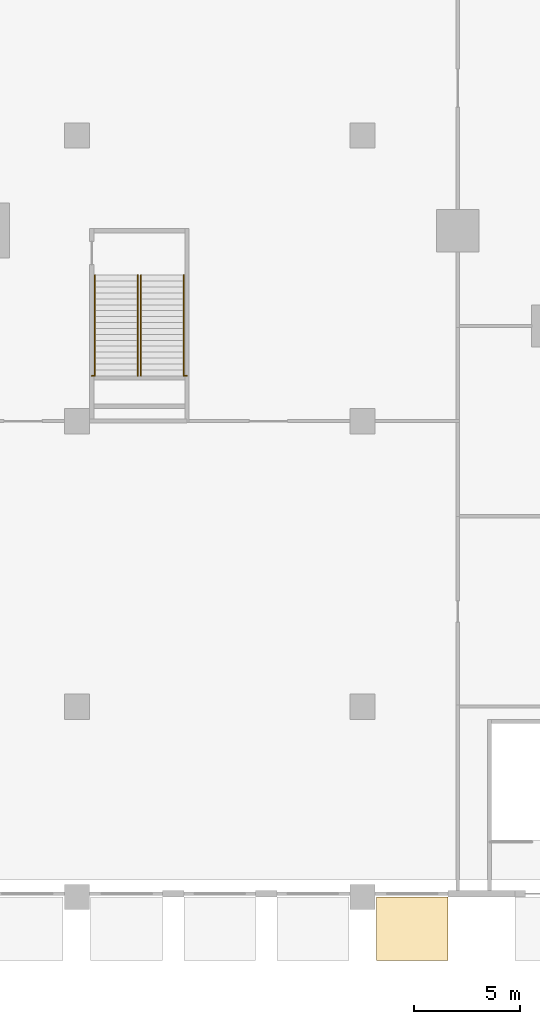
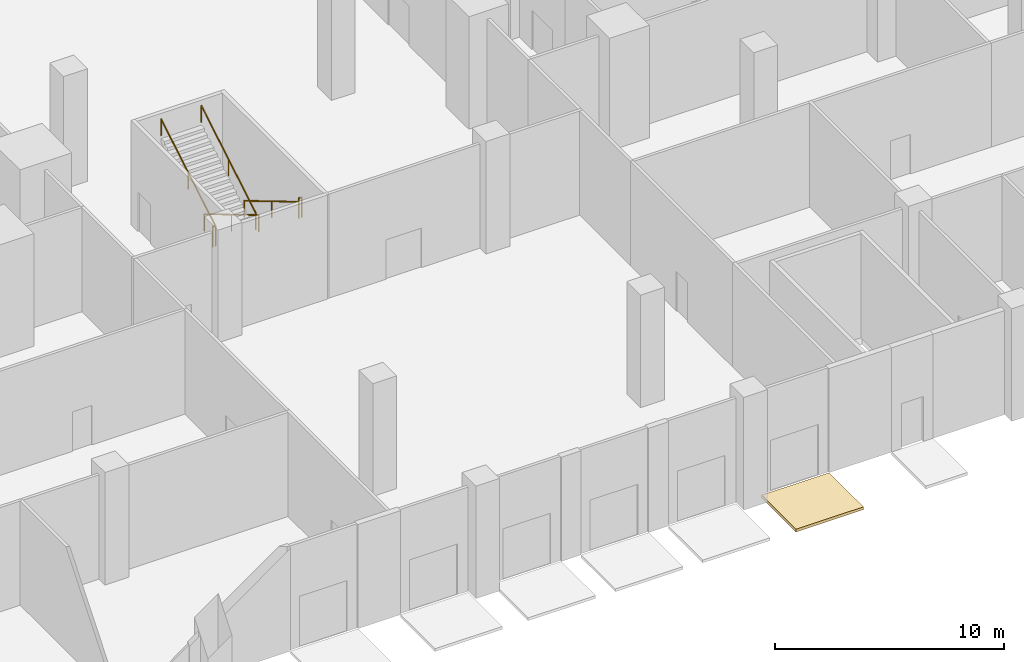
# One storey, part 61 of 68: 6 railings, 1 covering.
"""IFC4 building model written with IfcOpenShell, lengths in metres."""

from ifc_helpers import new_model, si_unit, direction, frame, origin, origin_2d, place, context, subcontext, project, spatial, polyline, circle, outline, extrude, source, transform, mapped, material, layer, layer_set, type_object, element, save


model = new_model("IFC4")

# Units and contexts
model_context = context("Model", 3, precision=1e-05, world=origin(), true_north=direction((0.0, 1.0)))
body_context = subcontext(model_context, "Body", "Model", "MODEL_VIEW")
ifc_project = project(units=[si_unit("LENGTHUNIT", "METRE"), si_unit("AREAUNIT", "SQUARE_METRE"), si_unit("VOLUMEUNIT", "CUBIC_METRE"), si_unit("PLANEANGLEUNIT", "RADIAN"), si_unit("MASSUNIT", "GRAM", prefix="KILO")], contexts=[model_context])

# Site, building, storey
site_placement = place(None, origin())
site = spatial("IfcSite", under=ifc_project, at=site_placement, CompositionType="ELEMENT")
building_placement = place(site_placement, origin())
building = spatial("IfcBuilding", under=site, at=building_placement, Name="Altepetl Exchange Towers", CompositionType="ELEMENT")
storey_placement = place(building_placement, origin())
storey = spatial("IfcBuildingStorey", under=building, at=storey_placement, Name="L00 Ground concourse", CompositionType="ELEMENT", Elevation=0.0)

# Covering
ifc_material_1 = material(Name="Cantera limestone paving", Category="masonry")
ifc_layer = layer(ifc_material_1, 0.14990234375)
ifc_layer_set = layer_set([ifc_layer], Name="Cantera limestone paving")
covering_type = type_object("IfcCoveringType", Name="Paving 150 limestone", PredefinedType="FLOORING", material=ifc_layer_set)
covering_placement = place(storey_placement, frame((0.0, 0.0, -0.14990234375)))
element("IfcCovering", 1, at=covering_placement, inside=storey, type_object=covering_type, Name="Paving", PredefinedType="FLOORING", context=body_context, shape_type="SweptSolid", body=[
    extrude(outline(polyline([(90.64990234375, -3.0), (94.050048828125, -3.0), (94.050048828125, 0.0), (90.64990234375, 0.0), (90.64990234375, -3.0)])), origin(), (0.0, 0.0, 1.0), 0.14990234375),
])

# Railings
ifc_material_2 = material(Name="Laminated glass and steel", Category="steel")
railing_type_1 = type_object("IfcRailingType", Name="Hall gallery guard 1100", PredefinedType="GUARDRAIL", material=ifc_material_2)
shared_shape_1 = source(origin(), body_context, "Body", "SweptSolid", [
    extrude(circle(Radius=0.02001953125, at=origin_2d()), origin(), (0.0, 0.0, 1.0), 1.050048828125),
])
railing_1_placement = place(storey_placement, frame((81.699951171875, 24.639892578125, 3.0)))
element("IfcRailing", 2, at=railing_1_placement, inside=storey, type_object=railing_type_1, Name="rail:P:L00:PX1land0", PredefinedType="GUARDRAIL", context=body_context, shape_type="SweptSolid", body=[
    extrude(circle(Radius=0.02490234375, at=origin_2d()), frame((0.0, 0.0, 1.0751953125), z_axis=(-1.0, 0.0, 0.0), x_axis=(0.0, -1.0, 0.0)), (0.0, 0.0, 1.0), 0.14990234375),
    mapped(shared_shape_1, transform((0.0, 0.0, 0.0))),
    mapped(shared_shape_1, transform((-0.14990234375, 0.0, 0.0))),
])
railing_2_placement = place(storey_placement, frame((77.35009765625, 24.639892578125, 3.0)))
element("IfcRailing", 3, at=railing_2_placement, inside=storey, type_object=railing_type_1, Name="rail:P:L00:PX1land1", PredefinedType="GUARDRAIL", context=body_context, shape_type="SweptSolid", body=[
    extrude(circle(Radius=0.02490234375, at=origin_2d()), frame((0.0, 0.0, 1.0751953125), z_axis=(-1.0, 0.0, 0.0), x_axis=(0.0, -1.0, 0.0)), (0.0, 0.0, 1.0), 0.150146484375),
    mapped(shared_shape_1, transform((0.0, 0.0, 0.0))),
    mapped(shared_shape_1, transform((-0.150146484375, 0.0, 0.0))),
])
ifc_material_3 = material(Name="Stainless steel", Category="steel")
railing_type_2 = type_object("IfcRailingType", Name="Stair handrail 900", PredefinedType="HANDRAIL", material=ifc_material_3)
shared_shape_2 = source(origin(), body_context, "Body", "SweptSolid", [
    extrude(circle(Radius=0.02001953125, at=origin_2d()), origin(), (0.0, 0.0, 1.0), 0.849853515625),
])
for number, where, name in (
    (4, (81.550048828125, 29.39990234375, 0.166748046875), "rail:P:L00:PX1:1a"),
    (5, (79.52490234375, 29.39990234375, 0.166748046875), "rail:P:L00:PX1:1b"),
):
    element("IfcRailing", number, at=place(storey_placement, frame(where)), inside=storey, type_object=railing_type_2, Name=name, PredefinedType="HANDRAIL", context=body_context, shape_type="SweptSolid", body=[
        extrude(circle(Radius=0.02490234375, at=origin_2d()), frame((0.0, 0.0, 0.875), z_axis=(0.0, -0.859299802514, 0.511472237174), x_axis=(1.0, 0.0, 0.0)), (0.0, 0.0, 1.0), 5.539306640625),
        mapped(shared_shape_2, transform((0.0, 0.0, 0.0))),
        mapped(shared_shape_2, transform((0.0, -2.3798828125, 1.41650390625))),
        mapped(shared_shape_2, transform((0.0, -4.760009765625, 2.833251953125))),
    ])
for number, where, name in (
    (6, (79.375, 24.639892578125, 3.166748046875), "rail:P:L00:PX1:2a"),
    (7, (77.35009765625, 24.639892578125, 3.166748046875), "rail:P:L00:PX1:2b"),
):
    element("IfcRailing", number, at=place(storey_placement, frame(where)), inside=storey, type_object=railing_type_2, Name=name, PredefinedType="HANDRAIL", context=body_context, shape_type="SweptSolid", body=[
        extrude(circle(Radius=0.02490234375, at=origin_2d()), frame((0.0, 0.0, 0.875), z_axis=(0.0, 0.859299802514, 0.511472237174), x_axis=(-1.0, 0.0, 0.0)), (0.0, 0.0, 1.0), 5.539306640625),
        mapped(shared_shape_2, transform((0.0, 0.0, 0.0))),
        mapped(shared_shape_2, transform((0.0, 2.3798828125, 1.41650390625))),
        mapped(shared_shape_2, transform((0.0, 4.760009765625, 2.833251953125))),
    ])

save(model, "model.ifc")
